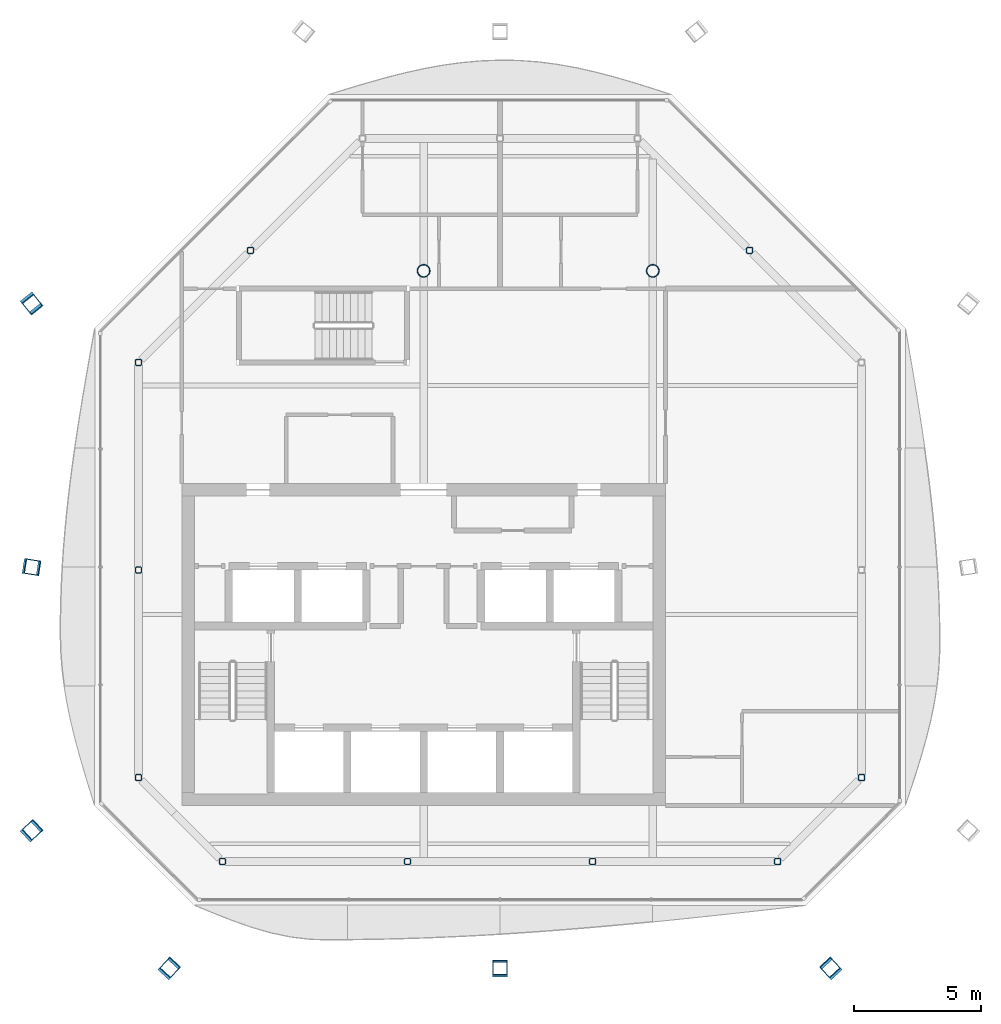
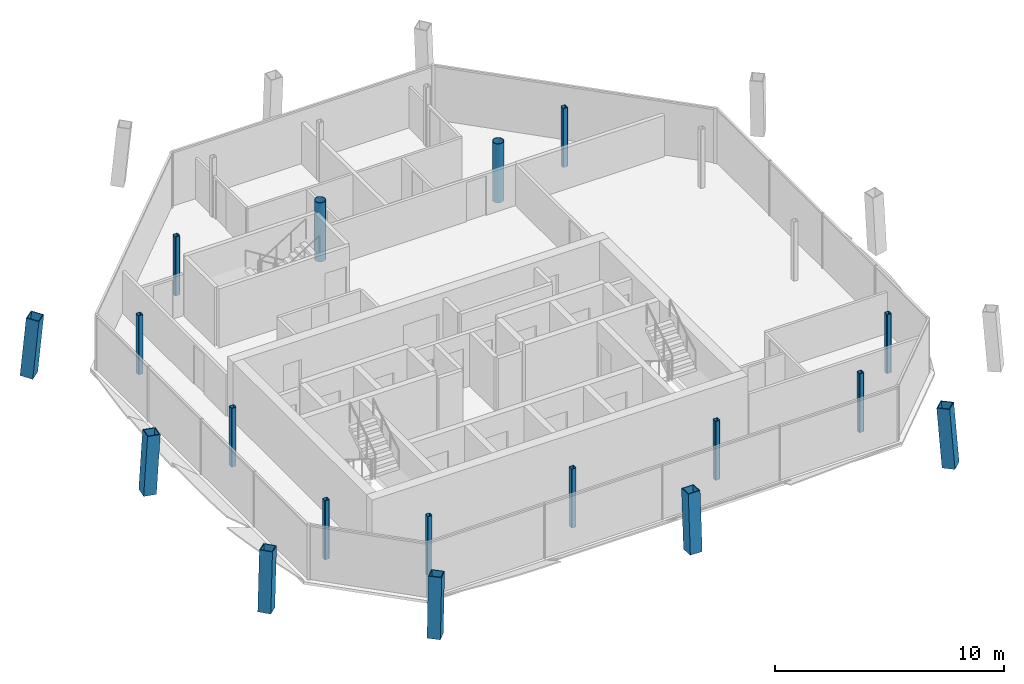
# One storey, part 1 of 13: 18 columns.
"""IFC4 building model written with IfcOpenShell, lengths in metres."""

from ifc_helpers import new_model, si_unit, direction, frame, origin, origin_2d, place, context, subcontext, project, spatial, hollow_rectangle, hollow_circle, extrude, material, material_profile, profile_set, type_object, element, save


model = new_model("IFC4")

# Units and contexts
model_context = context("Model", 3, precision=1e-05, world=origin(), true_north=direction((0.0, 1.0)))
body_context = subcontext(model_context, "Body", "Model", "MODEL_VIEW")
ifc_project = project(units=[si_unit("LENGTHUNIT", "METRE"), si_unit("AREAUNIT", "SQUARE_METRE"), si_unit("VOLUMEUNIT", "CUBIC_METRE"), si_unit("PLANEANGLEUNIT", "RADIAN"), si_unit("MASSUNIT", "GRAM", prefix="KILO")], contexts=[model_context])

# Site, building, storey
site_placement = place(None, origin())
site = spatial("IfcSite", under=ifc_project, at=site_placement, CompositionType="ELEMENT")
building_placement = place(site_placement, origin())
building = spatial("IfcBuilding", under=site, at=building_placement, Name="Tskaro Facet Tower", CompositionType="ELEMENT")
storey_placement = place(building_placement, frame((0.0, 0.0, 284.699951171875)))
storey = spatial("IfcBuildingStorey", under=building, at=storey_placement, Name="L76", CompositionType="ELEMENT", Elevation=284.699951171875)

# Columns
ifc_material_1 = material(Name="Steel S355J2", Category="steel")
ifc_material_profile_1 = material_profile(ifc_material_1, hollow_rectangle(XDim=0.60009765625, YDim=0.60009765625, WallThickness=0.0400390625, at=origin_2d()), Name="BOX 600x600x40")
ifc_profile_set_1 = profile_set([ifc_material_profile_1], Name="Steel S355J2")
column_type_1 = type_object("IfcColumnType", Name="BOX 600x600x40 mega column", PredefinedType="COLUMN", material=ifc_profile_set_1)
column_1_placement = place(storey_placement, frame((-10.02099609375, -18.431884765625, 0.0), z_axis=(0.052848827493, 0.057561953922, 0.996942136181), x_axis=(-0.736620357353, 0.676306475744, 0.0)))
element("IfcColumn", 1, at=column_1_placement, inside=storey, type_object=column_type_1, Name="BOX 600x600x40 MC01/6", PredefinedType="COLUMN", context=body_context, shape_type="SweptSolid", body=[
    extrude(hollow_rectangle(XDim=0.60009765625, YDim=0.60009765625, WallThickness=0.0400390625, at=origin_2d()), origin(), (0.0, 0.0, 1.0), 3.159912109375),
])
column_2_placement = place(storey_placement, frame((3.0, -18.431884765625, 0.0), z_axis=(0.0, 0.057642507929, 0.998337288335), x_axis=(-1.0, 0.0, 0.0)))
element("IfcColumn", 2, at=column_2_placement, inside=storey, type_object=column_type_1, Name="BOX 600x600x40 MC02/6", PredefinedType="COLUMN", context=body_context, shape_type="SweptSolid", body=[
    extrude(hollow_rectangle(XDim=0.60009765625, YDim=0.60009765625, WallThickness=0.0400390625, at=origin_2d()), origin(), (0.0, 0.0, 1.0), 3.1552734375),
])
column_3_placement = place(storey_placement, frame((16.02099609375, -18.431884765625, 0.0), z_axis=(-0.052848827493, 0.057561953922, 0.996942136181), x_axis=(-0.736620357353, -0.676306475744, 0.0)))
element("IfcColumn", 3, at=column_3_placement, inside=storey, type_object=column_type_1, Name="BOX 600x600x40 MC03/6", PredefinedType="COLUMN", context=body_context, shape_type="SweptSolid", body=[
    extrude(hollow_rectangle(XDim=0.60009765625, YDim=0.60009765625, WallThickness=0.0400390625, at=origin_2d()), origin(), (0.0, 0.0, 1.0), 3.159912109375),
])
column_4_placement = place(storey_placement, frame((-15.431884765625, 7.760009765625, 0.0), z_axis=(0.057495127458, -0.071463742317, 0.995784737708), x_axis=(0.779141980058, 0.626847489356, 0.0)))
element("IfcColumn", 4, at=column_4_placement, inside=storey, type_object=column_type_1, Name="BOX 600x600x40 MC10/6", PredefinedType="COLUMN", context=body_context, shape_type="SweptSolid", body=[
    extrude(hollow_rectangle(XDim=0.60009765625, YDim=0.60009765625, WallThickness=0.0400390625, at=origin_2d()), origin(), (0.0, 0.0, 1.0), 3.16357421875),
])
column_5_placement = place(storey_placement, frame((-15.431884765625, -2.631103515625, 0.0), z_axis=(0.057640105653, -0.009129573781, 0.998295682202), x_axis=(0.15643911056, 0.987687604806, 0.0)))
element("IfcColumn", 5, at=column_5_placement, inside=storey, type_object=column_type_1, Name="BOX 600x600x40 MC11/6", PredefinedType="COLUMN", context=body_context, shape_type="SweptSolid", body=[
    extrude(hollow_rectangle(XDim=0.60009765625, YDim=0.60009765625, WallThickness=0.0400390625, at=origin_2d()), origin(), (0.0, 0.0, 1.0), 3.155517578125),
])
column_6_placement = place(storey_placement, frame((-15.431884765625, -13.02099609375, 0.0), z_axis=(0.057561953922, 0.052848827493, 0.996942136181), x_axis=(-0.676306475744, 0.736620357353, 0.0)))
element("IfcColumn", 6, at=column_6_placement, inside=storey, type_object=column_type_1, Name="BOX 600x600x40 MC12/6", PredefinedType="COLUMN", context=body_context, shape_type="SweptSolid", body=[
    extrude(hollow_rectangle(XDim=0.60009765625, YDim=0.60009765625, WallThickness=0.0400390625, at=origin_2d()), origin(), (0.0, 0.0, 1.0), 3.159912109375),
])
ifc_material_2 = material(Name="Steel S355J2H", Category="steel")
ifc_material_profile_2 = material_profile(ifc_material_2, hollow_circle(Radius=0.25390625, WallThickness=0.02490234375, at=origin_2d()), Name="CHS 508x25")
ifc_profile_set_2 = profile_set([ifc_material_profile_2], Name="Steel S355J2H")
column_type_2 = type_object("IfcColumnType", Name="CHS 508x25 interior column", PredefinedType="COLUMN", material=ifc_profile_set_2)
for number, where, z_axis, x_axis, name in (
    (7, (0.0, 9.0, 0.0), (0.0, 0.0, 1.0), (1.0, 0.0, 0.0), "CHS 508x25 C4E/6"),
    (8, (9.0, 9.0, 0.0), (0.0, 0.0, 1.0), (1.0, 0.0, 0.0), "CHS 508x25 C5E/6"),
):
    element("IfcColumn", number, at=place(storey_placement, frame(where, z_axis=z_axis, x_axis=x_axis)), inside=storey, type_object=column_type_2, Name=name, PredefinedType="COLUMN", context=body_context, shape_type="SweptSolid", body=[
        extrude(hollow_circle(Radius=0.25390625, WallThickness=0.02490234375, at=origin_2d()), origin(), (0.0, 0.0, 1.0), 3.150146484375),
    ])
ifc_material_profile_3 = material_profile(ifc_material_2, hollow_rectangle(XDim=0.25, YDim=0.25, WallThickness=0.02001953125, InnerFilletRadius=0.030029296875, OuterFilletRadius=0.050048828125, at=origin_2d()), Name="SHS 250x250x20")
ifc_profile_set_3 = profile_set([ifc_material_profile_3], Name="Steel S355J2H")
column_type_3 = type_object("IfcColumnType", Name="SHS 250x250x20 ring column", PredefinedType="COLUMN", material=ifc_profile_set_3)
for number, where, z_axis, x_axis, name in (
    (9, (-7.903076171875, -14.199951171875, 0.0), (0.0, 0.0, 1.0), (1.0, 0.0, 0.0), "SHS 250x250x20 RS-1/6"),
    (10, (-0.634033203125, -14.199951171875, 0.0), (0.0, 0.0, 1.0), (1.0, 0.0, 0.0), "SHS 250x250x20 RS-2/6"),
    (11, (6.634033203125, -14.199951171875, 0.0), (0.0, 0.0, 1.0), (1.0, 0.0, 0.0), "SHS 250x250x20 RS-3/6"),
    (12, (13.903076171875, -14.199951171875, 0.0), (0.0, 0.0, 1.0), (1.0, 0.0, 0.0), "SHS 250x250x20 RSE-1/6"),
    (13, (17.199951171875, -10.903076171875, 0.0), (0.0, 0.0, 1.0), (1.0, 0.0, 0.0), "SHS 250x250x20 RE-1/6"),
    (14, (12.802001953125, 9.802001953125, 0.0), (0.0, 0.0, 1.0), (1.0, 0.0, 0.0), "SHS 250x250x20 RNE-2/6"),
    (15, (-6.801025390625, 9.801025390625, 0.0), (0.0, 0.0, 1.0), (1.0, 0.0, 0.0), "SHS 250x250x20 RNW-2/6"),
    (16, (-11.199951171875, 5.403076171875, 0.0), (0.0, 0.0, 1.0), (1.0, 0.0, 0.0), "SHS 250x250x20 RW-1/6"),
    (17, (-11.199951171875, -2.75, 0.0), (0.0, 0.0, 1.0), (1.0, 0.0, 0.0), "SHS 250x250x20 RW-2/6"),
    (18, (-11.199951171875, -10.903076171875, 0.0), (0.0, 0.0, 1.0), (1.0, 0.0, 0.0), "SHS 250x250x20 RSW-1/6"),
):
    element("IfcColumn", number, at=place(storey_placement, frame(where, z_axis=z_axis, x_axis=x_axis)), inside=storey, type_object=column_type_3, Name=name, PredefinedType="COLUMN", context=body_context, shape_type="SweptSolid", body=[
        extrude(hollow_rectangle(XDim=0.25, YDim=0.25, WallThickness=0.02001953125, InnerFilletRadius=0.030029296875, OuterFilletRadius=0.050048828125, at=origin_2d()), origin(), (0.0, 0.0, 1.0), 3.150146484375),
    ])

save(model, "model.ifc")
